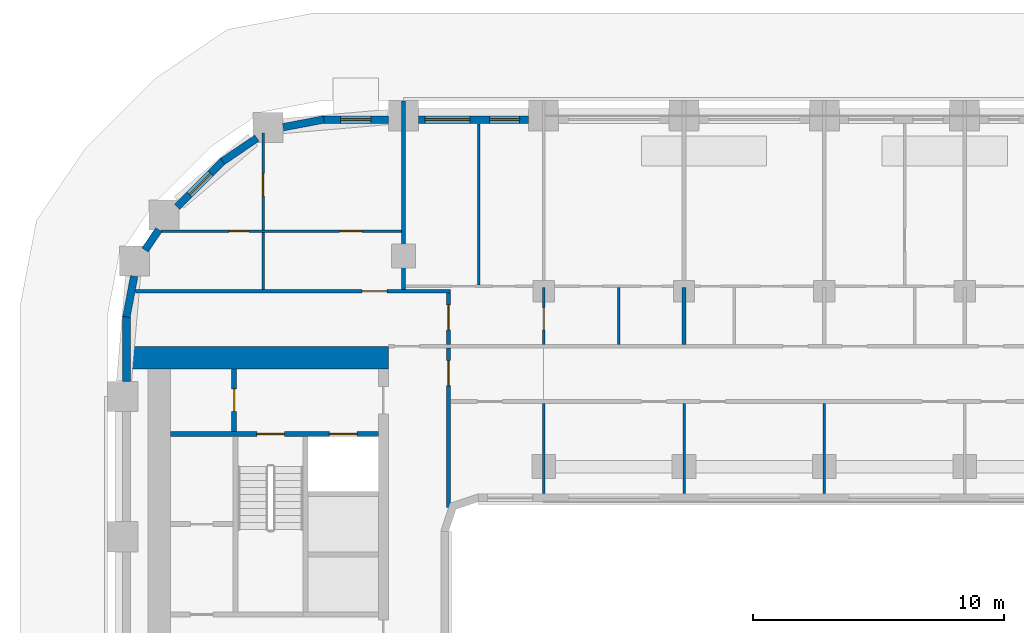
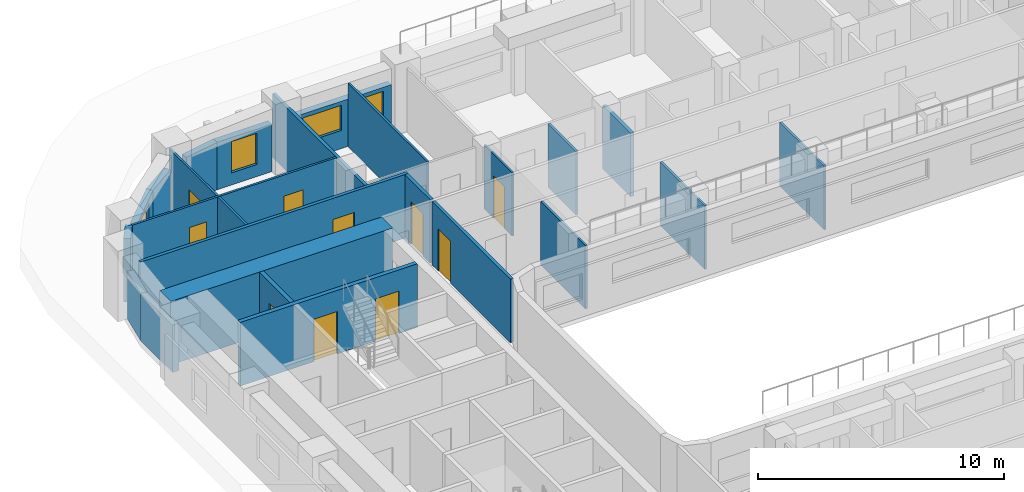
# One storey, part 8 of 18: 25 walls, 10 doors, 4 windows, 14 openings.
"""IFC4 building model written with IfcOpenShell, lengths in metres."""

from ifc_helpers import new_model, si_unit, direction, frame, frame_2d, origin, place, context, subcontext, project, spatial, rectangle, extrude, material, layer, layer_set, type_object, element, fill, save


model = new_model("IFC4")

# Units and contexts
model_context = context("Model", 3, precision=1e-05, world=origin(), true_north=direction((0.0, 1.0)))
body_context = subcontext(model_context, "Body", "Model", "MODEL_VIEW")
ifc_project = project(units=[si_unit("LENGTHUNIT", "METRE"), si_unit("AREAUNIT", "SQUARE_METRE"), si_unit("VOLUMEUNIT", "CUBIC_METRE"), si_unit("PLANEANGLEUNIT", "RADIAN"), si_unit("MASSUNIT", "GRAM", prefix="KILO")], contexts=[model_context])

# Site, building, storey
site_placement = place(None, origin())
site = spatial("IfcSite", under=ifc_project, at=site_placement, CompositionType="ELEMENT")
building_placement = place(site_placement, origin())
building = spatial("IfcBuilding", under=site, at=building_placement, Name="Kiln Ring Residences", CompositionType="ELEMENT")
storey_placement = place(building_placement, frame((0.0, 0.0, 121.800048828125)))
storey = spatial("IfcBuildingStorey", under=building, at=storey_placement, Name="L31", CompositionType="ELEMENT", Elevation=121.800048828125)

# Wall, opening, door
ifc_material_1 = material(Name="Gypsum board on steel studs", Category="steel")
ifc_layer_1 = layer(ifc_material_1, 0.199951171875)
ifc_layer_set_1 = layer_set([ifc_layer_1], Name="CORE-PARTITION-200")
wall_type_1 = type_object("IfcWallType", Name="CORE-PARTITION-200", PredefinedType="PARTITIONING", material=ifc_layer_set_1)
wall_1_placement = place(storey_placement, frame((-23.550048828125, 9.800048828125, 0.0), z_axis=(0.0, 0.0, 1.0), x_axis=(0.0, 1.0, 0.0)))
wall_1 = element("IfcWall", 1, at=wall_1_placement, inside=storey, type_object=wall_type_1, Name="Core partition west L31 3", PredefinedType="PARTITIONING", context=body_context, shape_type="SweptSolid", body=[
    extrude(rectangle(XDim=2.5, YDim=0.199951171875, at=frame_2d((1.25, 0.0))), origin(), (0.0, 0.0, 1.0), 3.14990234375),
])
opening_1_placement = place(wall_1_placement, frame((0.800048828125, 0.0, 0.0)))
opening_1 = element("IfcOpeningElement", 2, at=opening_1_placement, cuts=wall_1, Name="Opening L31-CW08", PredefinedType="OPENING", context=body_context, shape_type="SweptSolid", body=[
    extrude(rectangle(XDim=0.89990234375, YDim=2.10009765625, at=frame_2d((0.449951171875, 1.050048828125))), frame((0.0, 0.10986328125, 0.0), z_axis=(0.0, -1.0, 0.0), x_axis=(1.0, 0.0, 0.0)), (0.0, 0.0, 1.0), 0.219970703125),
])
ifc_material_2 = material(Name="Steel door leaf", Category="steel")
door_type_1 = type_object("IfcDoorType", Name="CORE-DOOR-ROOM", OperationType="SINGLE_SWING_LEFT", PredefinedType="DOOR", material=ifc_material_2)
door_1_placement = place(opening_1_placement, origin())
door_1 = element("IfcDoor", 3, at=door_1_placement, inside=storey, type_object=door_type_1, Name="Fire riser room L31-CW08", OperationType="SINGLE_SWING_RIGHT", OverallHeight=2.10009765625, OverallWidth=0.89990234375, PredefinedType="DOOR", context=body_context, shape_type="SweptSolid", body=[
    extrude(rectangle(XDim=0.89990234375, YDim=2.10009765625, at=frame_2d((0.449951171875, 1.050048828125))), frame((0.0, 0.02490234375, 0.0), z_axis=(0.0, -1.0, 0.0), x_axis=(1.0, 0.0, 0.0)), (0.0, 0.0, 1.0), 0.050048828125),
])
fill(opening_1, door_1)

# Wall, openings, doors
ifc_material_3 = material(Name="Concrete C40/50", Category="concrete")
ifc_layer_2 = layer(ifc_material_3, 0.199951171875)
ifc_layer_set_2 = layer_set([ifc_layer_2], Name="CORE-WALL-RC200")
wall_type_2 = type_object("IfcWallType", Name="CORE-WALL-RC200", PredefinedType="SHEAR", material=ifc_layer_set_2)
wall_2_placement = place(storey_placement, frame((-17.800048828125, 9.699951171875, 0.0), z_axis=(0.0, 0.0, 1.0), x_axis=(-1.0, 0.0, 0.0)))
wall_2 = element("IfcWall", 4, at=wall_2_placement, inside=storey, type_object=wall_type_2, Name="Core wall west L31 9", PredefinedType="SHEAR", context=body_context, shape_type="SweptSolid", body=[
    extrude(rectangle(XDim=8.300048828125, YDim=0.199951171875, at=frame_2d((4.14990234375, 0.0))), origin(), (0.0, 0.0, 1.0), 3.14990234375),
])
opening_2_placement = place(wall_2_placement, frame((0.85009765625, 0.0, 0.0)))
opening_2 = element("IfcOpeningElement", 5, at=opening_2_placement, cuts=wall_2, Name="Opening L31-CW05", PredefinedType="OPENING", context=body_context, shape_type="SweptSolid", body=[
    extrude(rectangle(XDim=1.10009765625, YDim=2.10009765625, at=frame_2d((0.550048828125, 1.050048828125))), frame((0.0, 0.10986328125, 0.0), z_axis=(0.0, -1.0, 0.0), x_axis=(1.0, 0.0, 0.0)), (0.0, 0.0, 1.0), 0.219970703125),
])
opening_3_placement = place(wall_2_placement, frame((3.75, 0.0, 0.0)))
opening_3 = element("IfcOpeningElement", 6, at=opening_3_placement, cuts=wall_2, Name="Opening L31-CW10", PredefinedType="OPENING", context=body_context, shape_type="SweptSolid", body=[
    extrude(rectangle(XDim=1.10009765625, YDim=2.10009765625, at=frame_2d((0.550048828125, 1.050048828125))), frame((0.0, 0.10986328125, 0.0), z_axis=(0.0, -1.0, 0.0), x_axis=(1.0, 0.0, 0.0)), (0.0, 0.0, 1.0), 0.219970703125),
])
ifc_material_4 = material(Name="Steel door leaf", Category="steel")
door_type_2 = type_object("IfcDoorType", Name="CORE-DOOR-LD", OperationType="DOUBLE_DOOR_SLIDING", PredefinedType="DOOR", material=ifc_material_4)
door_2_placement = place(opening_2_placement, origin())
door_2 = element("IfcDoor", 7, at=door_2_placement, inside=storey, type_object=door_type_2, Name="LD W-FF L31-CW05", OperationType="DOUBLE_DOOR_SLIDING", OverallHeight=2.10009765625, OverallWidth=1.10009765625, PredefinedType="DOOR", context=body_context, shape_type="SweptSolid", body=[
    extrude(rectangle(XDim=1.10009765625, YDim=2.10009765625, at=frame_2d((0.550048828125, 1.050048828125))), frame((0.0, 0.02490234375, 0.0), z_axis=(0.0, -1.0, 0.0), x_axis=(1.0, 0.0, 0.0)), (0.0, 0.0, 1.0), 0.050048828125),
])
fill(opening_2, door_2)
ifc_material_5 = material(Name="Steel door leaf", Category="steel")
door_type_3 = type_object("IfcDoorType", Name="CORE-DOOR-STAIR", OperationType="SINGLE_SWING_LEFT", PredefinedType="DOOR", material=ifc_material_5)
door_3_placement = place(opening_3_placement, origin())
door_3 = element("IfcDoor", 8, at=door_3_placement, inside=storey, type_object=door_type_3, Name="Stair W-STN L31-CW10", OperationType="SINGLE_SWING_RIGHT", OverallHeight=2.10009765625, OverallWidth=1.10009765625, PredefinedType="DOOR", context=body_context, shape_type="SweptSolid", body=[
    extrude(rectangle(XDim=1.10009765625, YDim=2.10009765625, at=frame_2d((0.550048828125, 1.050048828125))), frame((0.0, 0.02490234375, 0.0), z_axis=(0.0, -1.0, 0.0), x_axis=(1.0, 0.0, 0.0)), (0.0, 0.0, 1.0), 0.050048828125),
])
fill(opening_3, door_3)

# Wall
ifc_material_6 = material(Name="Concrete C60/75", Category="concrete")
ifc_layer_3 = layer(ifc_material_6, 0.89990234375)
ifc_layer_set_3 = layer_set([ifc_layer_3], Name="CORE-WALL-RC900")
wall_type_3 = type_object("IfcWallType", Name="CORE-WALL-RC900", PredefinedType="SHEAR", material=ifc_layer_set_3)
wall_3_placement = place(storey_placement, frame((-17.39990234375, 12.75, 0.0), z_axis=(0.0, 0.0, 1.0), x_axis=(-1.0, 0.0, 0.0)))
element("IfcWall", 9, at=wall_3_placement, inside=storey, type_object=wall_type_3, Name="Core wall west L31 4", PredefinedType="SHEAR", context=body_context, shape_type="SweptSolid", body=[
    extrude(rectangle(XDim=10.400146484375, YDim=0.89990234375, at=frame_2d((5.2001953125, 0.0))), origin(), (0.0, 0.0, 1.0), 3.14990234375),
])

# Wall, openings, windows
ifc_material_7 = material(Name="Brick masonry, dark clay brick", Category="masonry")
ifc_layer_4 = layer(ifc_material_7, 0.300048828125)
ifc_layer_set_4 = layer_set([ifc_layer_4], Name="EW-300 BRICK WALL")
wall_type_4 = type_object("IfcWallType", Name="EW-300 BRICK WALL", PredefinedType="SOLIDWALL", material=ifc_layer_set_4)
wall_4_placement = place(storey_placement, frame((-11.800048828125, 22.25, 0.0), z_axis=(0.0, 0.0, 1.0), x_axis=(-1.0, 0.0, 0.0)))
wall_4 = element("IfcWall", 10, at=wall_4_placement, inside=storey, type_object=wall_type_4, Name="Facade wall L31 34", PredefinedType="SOLIDWALL", context=body_context, shape_type="SweptSolid", body=[
    extrude(rectangle(XDim=4.39990234375, YDim=0.300048828125, at=frame_2d((2.199951171875, 0.0))), origin(), (0.0, 0.0, 1.0), 2.349853515625),
])
opening_4_placement = place(wall_4_placement, frame((0.362548828125, 0.0, 0.60009765625)))
opening_4 = element("IfcOpeningElement", 11, at=opening_4_placement, cuts=wall_4, Name="Opening W1", PredefinedType="OPENING", context=body_context, shape_type="SweptSolid", body=[
    extrude(rectangle(XDim=1.199951171875, YDim=1.550048828125, at=frame_2d((0.60009765625, 0.77490234375))), frame((0.0, 0.159912109375, 0.0), z_axis=(0.0, -1.0, 0.0), x_axis=(1.0, 0.0, 0.0)), (0.0, 0.0, 1.0), 0.320068359375),
])
opening_5_placement = place(wall_4_placement, frame((2.33740234375, 0.0, 0.89990234375)))
opening_5 = element("IfcOpeningElement", 12, at=opening_5_placement, cuts=wall_4, Name="Opening W2", PredefinedType="OPENING", context=body_context, shape_type="SweptSolid", body=[
    extrude(rectangle(XDim=1.800048828125, YDim=1.25, at=frame_2d((0.89990234375, 0.625))), frame((0.0, 0.159912109375, 0.0), z_axis=(0.0, -1.0, 0.0), x_axis=(1.0, 0.0, 0.0)), (0.0, 0.0, 1.0), 0.320068359375),
])
ifc_material_8 = material(Name="Aluminium frame with double glazing", Category="aluminium")
window_type_1 = type_object("IfcWindowType", Name="WINDOW 1200 x 1550", PartitioningType="SINGLE_PANEL", PredefinedType="WINDOW", material=ifc_material_8)
window_1_placement = place(opening_4_placement, origin())
window_1 = element("IfcWindow", 13, at=window_1_placement, inside=storey, type_object=window_type_1, Name="Window L31 22", OverallHeight=1.550048828125, OverallWidth=1.199951171875, PartitioningType="SINGLE_PANEL", PredefinedType="WINDOW", context=body_context, shape_type="SweptSolid", body=[
    extrude(rectangle(XDim=1.199951171875, YDim=1.550048828125, at=frame_2d((0.60009765625, 0.77490234375))), frame((0.0, 0.030029296875, 0.0), z_axis=(0.0, -1.0, 0.0), x_axis=(1.0, 0.0, 0.0)), (0.0, 0.0, 1.0), 0.06005859375),
])
fill(opening_4, window_1)
ifc_material_9 = material(Name="Aluminium frame with double glazing", Category="aluminium")
window_type_2 = type_object("IfcWindowType", Name="WINDOW 1800 x 1250", PartitioningType="SINGLE_PANEL", PredefinedType="WINDOW", material=ifc_material_9)
window_2_placement = place(opening_5_placement, origin())
window_2 = element("IfcWindow", 14, at=window_2_placement, inside=storey, type_object=window_type_2, Name="Window L31 23", OverallHeight=1.25, OverallWidth=1.800048828125, PartitioningType="SINGLE_PANEL", PredefinedType="WINDOW", context=body_context, shape_type="SweptSolid", body=[
    extrude(rectangle(XDim=1.800048828125, YDim=1.25, at=frame_2d((0.89990234375, 0.625))), frame((0.0, 0.030029296875, 0.0), z_axis=(0.0, -1.0, 0.0), x_axis=(1.0, 0.0, 0.0)), (0.0, 0.0, 1.0), 0.06005859375),
])
fill(opening_5, window_2)

# Wall, opening, window
wall_5_placement = place(storey_placement, frame((-17.39990234375, 22.25, 0.0), z_axis=(0.0, 0.0, 1.0), x_axis=(-1.0, 0.0, 0.0)))
wall_5 = element("IfcWall", 15, at=wall_5_placement, inside=storey, type_object=wall_type_4, Name="Facade wall L31 35", PredefinedType="SOLIDWALL", context=body_context, shape_type="SweptSolid", body=[
    extrude(rectangle(XDim=2.60009765625, YDim=0.300048828125, at=frame_2d((1.300048828125, 0.0))), origin(), (0.0, 0.0, 1.0), 2.349853515625),
])
opening_6_placement = place(wall_5_placement, frame((0.699951171875, 0.0, 0.60009765625)))
opening_6 = element("IfcOpeningElement", 16, at=opening_6_placement, cuts=wall_5, Name="Opening W1", PredefinedType="OPENING", context=body_context, shape_type="SweptSolid", body=[
    extrude(rectangle(XDim=1.199951171875, YDim=1.550048828125, at=frame_2d((0.60009765625, 0.77490234375))), frame((0.0, 0.159912109375, 0.0), z_axis=(0.0, -1.0, 0.0), x_axis=(1.0, 0.0, 0.0)), (0.0, 0.0, 1.0), 0.320068359375),
])
window_3_placement = place(opening_6_placement, origin())
window_3 = element("IfcWindow", 17, at=window_3_placement, inside=storey, type_object=window_type_1, Name="Window L31 24", OverallHeight=1.550048828125, OverallWidth=1.199951171875, PartitioningType="SINGLE_PANEL", PredefinedType="WINDOW", context=body_context, shape_type="SweptSolid", body=[
    extrude(rectangle(XDim=1.199951171875, YDim=1.550048828125, at=frame_2d((0.60009765625, 0.77490234375))), frame((0.0, 0.030029296875, 0.0), z_axis=(0.0, -1.0, 0.0), x_axis=(1.0, 0.0, 0.0)), (0.0, 0.0, 1.0), 0.06005859375),
])
fill(opening_6, window_3)

# Walls
for number, where, z_axis, x_axis, name in (
    (18, (-19.971923828125, 22.252685546875, 0.0), (0.0, 0.0, 1.0), (-0.98228820662, -0.187376303559, 0.0), "Facade wall L31 36"),
    (19, (-22.64306640625, 21.509765625, 0.0), (0.0, 0.0, 1.0), (-0.827049873329, -0.562128550268, 0.0), "Facade wall L31 37"),
):
    element("IfcWall", number, at=place(storey_placement, frame(where, z_axis=z_axis, x_axis=x_axis)), inside=storey, type_object=wall_type_4, Name=name, PredefinedType="SOLIDWALL", context=body_context, shape_type="SweptSolid", body=[
        extrude(rectangle(XDim=1.656005859375, YDim=0.300048828125, at=frame_2d((0.828125, 0.0))), origin(), (0.0, 0.0, 1.0), 2.349853515625),
    ])

# Wall, opening, window
wall_6_placement = place(storey_placement, frame((-23.990966796875, 20.596923828125, 0.0), z_axis=(0.0, 0.0, 1.0), x_axis=(-0.707106781187, -0.707106781187, 0.0)))
wall_6 = element("IfcWall", 20, at=wall_6_placement, inside=storey, type_object=wall_type_4, Name="Facade wall L31 38", PredefinedType="SOLIDWALL", context=body_context, shape_type="SweptSolid", body=[
    extrude(rectangle(XDim=2.60009765625, YDim=0.300048828125, at=frame_2d((1.300048828125, 0.0))), origin(), (0.0, 0.0, 1.0), 2.349853515625),
])
opening_7_placement = place(wall_6_placement, frame((0.699951171875, 0.0, 0.60009765625)))
opening_7 = element("IfcOpeningElement", 21, at=opening_7_placement, cuts=wall_6, Name="Opening W1", PredefinedType="OPENING", context=body_context, shape_type="SweptSolid", body=[
    extrude(rectangle(XDim=1.199951171875, YDim=1.550048828125, at=frame_2d((0.60009765625, 0.77490234375))), frame((0.0, 0.159912109375, 0.0), z_axis=(0.0, -1.0, 0.0), x_axis=(1.0, 0.0, 0.0)), (0.0, 0.0, 1.0), 0.320068359375),
])
window_4_placement = place(opening_7_placement, origin())
window_4 = element("IfcWindow", 22, at=window_4_placement, inside=storey, type_object=window_type_1, Name="Window L31 25", OverallHeight=1.550048828125, OverallWidth=1.199951171875, PartitioningType="SINGLE_PANEL", PredefinedType="WINDOW", context=body_context, shape_type="SweptSolid", body=[
    extrude(rectangle(XDim=1.199951171875, YDim=1.550048828125, at=frame_2d((0.60009765625, 0.77490234375))), frame((0.0, 0.030029296875, 0.0), z_axis=(0.0, -1.0, 0.0), x_axis=(1.0, 0.0, 0.0)), (0.0, 0.0, 1.0), 0.06005859375),
])
fill(opening_7, window_4)

# Walls
wall_7_placement = place(storey_placement, frame((-26.560546875, 17.85107421875, 0.0), z_axis=(0.0, 0.0, 1.0), x_axis=(-0.562173331661, -0.827019434577, 0.0)))
element("IfcWall", 23, at=wall_7_placement, inside=storey, type_object=wall_type_4, Name="Facade wall L31 39", PredefinedType="SOLIDWALL", context=body_context, shape_type="SweptSolid", body=[
    extrude(rectangle(XDim=0.97705078125, YDim=0.300048828125, at=frame_2d((0.488525390625, 0.0))), origin(), (0.0, 0.0, 1.0), 3.14990234375),
])
wall_8_placement = place(storey_placement, frame((-27.542236328125, 15.998779296875, 0.0), z_axis=(0.0, 0.0, 1.0), x_axis=(-0.187349172861, -0.982293381546, 0.0)))
element("IfcWall", 24, at=wall_8_placement, inside=storey, type_object=wall_type_4, Name="Facade wall L31 40", PredefinedType="SOLIDWALL", context=body_context, shape_type="SweptSolid", body=[
    extrude(rectangle(XDim=1.65625, YDim=0.300048828125, at=frame_2d((0.828125, 0.0))), origin(), (0.0, 0.0, 1.0), 2.349853515625),
])
wall_9_placement = place(storey_placement, frame((-27.85009765625, 14.39990234375, 0.0), z_axis=(0.0, 0.0, 1.0), x_axis=(0.0, -1.0, 0.0)))
element("IfcWall", 25, at=wall_9_placement, inside=storey, type_object=wall_type_4, Name="Facade wall L31 41", PredefinedType="SOLIDWALL", context=body_context, shape_type="SweptSolid", body=[
    extrude(rectangle(XDim=2.599853515625, YDim=0.300048828125, at=frame_2d((1.2998046875, 0.0))), origin(), (0.0, 0.0, 1.0), 2.349853515625),
])

# Wall, openings, doors
ifc_material_10 = material(Name="Gypsum board on steel studs", Category="steel")
ifc_layer_5 = layer(ifc_material_10, 0.10009765625)
ifc_layer_set_5 = layer_set([ifc_layer_5], Name="PARTITION-100")
wall_type_5 = type_object("IfcWallType", Name="PARTITION-100", PredefinedType="PARTITIONING", material=ifc_layer_set_5)
wall_10_placement = place(storey_placement, frame((-26.465087890625, 17.800048828125, 0.0), z_axis=(0.0, 0.0, 1.0), x_axis=(1.0, 0.0, 0.0)))
wall_10 = element("IfcWall", 26, at=wall_10_placement, inside=storey, type_object=wall_type_5, Name="Partition 012", PredefinedType="PARTITIONING", context=body_context, shape_type="SweptSolid", body=[
    extrude(rectangle(XDim=9.590087890625, YDim=0.10009765625, at=frame_2d((4.794921875, 0.0))), origin(), (0.0, 0.0, 1.0), 3.14990234375),
])
opening_8_placement = place(wall_10_placement, frame((2.697265625, 0.0, 0.0)))
opening_8 = element("IfcOpeningElement", 27, at=opening_8_placement, cuts=wall_10, Name="Opening L31-D040", PredefinedType="OPENING", context=body_context, shape_type="SweptSolid", body=[
    extrude(rectangle(XDim=0.800048828125, YDim=2.10009765625, at=frame_2d((0.39990234375, 1.050048828125))), frame((0.0, 0.06005859375, 0.0), z_axis=(0.0, -1.0, 0.0), x_axis=(1.0, 0.0, 0.0)), (0.0, 0.0, 1.0), 0.1201171875),
])
opening_9_placement = place(wall_10_placement, frame((7.115234375, 0.0, 0.0)))
opening_9 = element("IfcOpeningElement", 28, at=opening_9_placement, cuts=wall_10, Name="Opening L31-D041", PredefinedType="OPENING", context=body_context, shape_type="SweptSolid", body=[
    extrude(rectangle(XDim=0.89990234375, YDim=2.10009765625, at=frame_2d((0.449951171875, 1.050048828125))), frame((0.0, 0.06005859375, 0.0), z_axis=(0.0, -1.0, 0.0), x_axis=(1.0, 0.0, 0.0)), (0.0, 0.0, 1.0), 0.1201171875),
])
ifc_material_11 = material(Name="Timber door leaf", Category="wood")
door_type_4 = type_object("IfcDoorType", Name="FLAT-DOOR-800-PL", OperationType="SINGLE_SWING_LEFT", PredefinedType="DOOR", material=ifc_material_11)
door_4_placement = place(opening_8_placement, origin())
door_4 = element("IfcDoor", 29, at=door_4_placement, inside=storey, type_object=door_type_4, Name="Door L31-D040", OperationType="SINGLE_SWING_RIGHT", OverallHeight=2.10009765625, OverallWidth=0.800048828125, PredefinedType="DOOR", context=body_context, shape_type="SweptSolid", body=[
    extrude(rectangle(XDim=0.800048828125, YDim=2.10009765625, at=frame_2d((0.39990234375, 1.050048828125))), frame((0.0, 0.02490234375, 0.0), z_axis=(0.0, -1.0, 0.0), x_axis=(1.0, 0.0, 0.0)), (0.0, 0.0, 1.0), 0.050048828125),
])
fill(opening_8, door_4)
ifc_material_12 = material(Name="Timber door leaf", Category="wood")
door_type_5 = type_object("IfcDoorType", Name="FLAT-DOOR-900-PL", OperationType="SINGLE_SWING_LEFT", PredefinedType="DOOR", material=ifc_material_12)
door_5_placement = place(opening_9_placement, origin())
door_5 = element("IfcDoor", 30, at=door_5_placement, inside=storey, type_object=door_type_5, Name="Door L31-D041", OperationType="SINGLE_SWING_LEFT", OverallHeight=2.10009765625, OverallWidth=0.89990234375, PredefinedType="DOOR", context=body_context, shape_type="SweptSolid", body=[
    extrude(rectangle(XDim=0.89990234375, YDim=2.10009765625, at=frame_2d((0.449951171875, 1.050048828125))), frame((0.0, 0.02490234375, 0.0), z_axis=(0.0, -1.0, 0.0), x_axis=(1.0, 0.0, 0.0)), (0.0, 0.0, 1.0), 0.050048828125),
])
fill(opening_9, door_5)

# Wall
wall_11_placement = place(storey_placement, frame((-22.39990234375, 15.47509765625, 0.0), z_axis=(0.0, 0.0, 1.0), x_axis=(0.0, 1.0, 0.0)))
element("IfcWall", 31, at=wall_11_placement, inside=storey, type_object=wall_type_5, Name="Partition 016", PredefinedType="PARTITIONING", context=body_context, shape_type="SweptSolid", body=[
    extrude(rectangle(XDim=2.27490234375, YDim=0.10009765625, at=frame_2d((1.137451171875, 0.0))), origin(), (0.0, 0.0, 1.0), 3.14990234375),
])

# Wall, opening, door
wall_12_placement = place(storey_placement, frame((-22.39990234375, 17.85009765625, 0.0), z_axis=(0.0, 0.0, 1.0), x_axis=(0.0, 1.0, 0.0)))
wall_12 = element("IfcWall", 32, at=wall_12_placement, inside=storey, type_object=wall_type_5, Name="Partition 017", PredefinedType="PARTITIONING", context=body_context, shape_type="SweptSolid", body=[
    extrude(rectangle(XDim=3.869873046875, YDim=0.10009765625, at=frame_2d((1.93505859375, 0.0))), origin(), (0.0, 0.0, 1.0), 3.14990234375),
])
opening_10_placement = place(wall_12_placement, frame((1.347900390625, 0.0, 0.0)))
opening_10 = element("IfcOpeningElement", 33, at=opening_10_placement, cuts=wall_12, Name="Opening L31-D042", PredefinedType="OPENING", context=body_context, shape_type="SweptSolid", body=[
    extrude(rectangle(XDim=0.89990234375, YDim=2.10009765625, at=frame_2d((0.449951171875, 1.050048828125))), frame((0.0, 0.06005859375, 0.0), z_axis=(0.0, -1.0, 0.0), x_axis=(1.0, 0.0, 0.0)), (0.0, 0.0, 1.0), 0.1201171875),
])
door_6_placement = place(opening_10_placement, origin())
door_6 = element("IfcDoor", 34, at=door_6_placement, inside=storey, type_object=door_type_5, Name="Door L31-D042", OperationType="SINGLE_SWING_RIGHT", OverallHeight=2.10009765625, OverallWidth=0.89990234375, PredefinedType="DOOR", context=body_context, shape_type="SweptSolid", body=[
    extrude(rectangle(XDim=0.89990234375, YDim=2.10009765625, at=frame_2d((0.449951171875, 1.050048828125))), frame((0.0, 0.02490234375, 0.0), z_axis=(0.0, -1.0, 0.0), x_axis=(1.0, 0.0, 0.0)), (0.0, 0.0, 1.0), 0.050048828125),
])
fill(opening_10, door_6)

# Walls
wall_13_placement = place(storey_placement, frame((-13.800048828125, 15.64990234375, 0.0), z_axis=(0.0, 0.0, 1.0), x_axis=(0.0, 1.0, 0.0)))
element("IfcWall", 35, at=wall_13_placement, inside=storey, type_object=wall_type_5, Name="Partition 024", PredefinedType="PARTITIONING", context=body_context, shape_type="SweptSolid", body=[
    extrude(rectangle(XDim=6.43017578125, YDim=0.10009765625, at=frame_2d((3.215087890625, 0.0))), origin(), (0.0, 0.0, 1.0), 3.14990234375),
])
wall_14_placement = place(storey_placement, frame((-11.199951171875, 7.320068359375, 0.0), z_axis=(0.0, 0.0, 1.0), x_axis=(0.0, 1.0, 0.0)))
element("IfcWall", 36, at=wall_14_placement, inside=storey, type_object=wall_type_5, Name="Partition 028", PredefinedType="PARTITIONING", context=body_context, shape_type="SweptSolid", body=[
    extrude(rectangle(XDim=3.60498046875, YDim=0.10009765625, at=frame_2d((1.802490234375, 0.0))), origin(), (0.0, 0.0, 1.0), 3.14990234375),
])

# Wall, opening, door
wall_15_placement = place(storey_placement, frame((-11.199951171875, 13.27490234375, 0.0), z_axis=(0.0, 0.0, 1.0), x_axis=(0.0, 1.0, 0.0)))
wall_15 = element("IfcWall", 37, at=wall_15_placement, inside=storey, type_object=wall_type_5, Name="Partition 029", PredefinedType="PARTITIONING", context=body_context, shape_type="SweptSolid", body=[
    extrude(rectangle(XDim=2.275146484375, YDim=0.10009765625, at=frame_2d((1.1376953125, 0.0))), origin(), (0.0, 0.0, 1.0), 3.14990234375),
])
opening_11_placement = place(wall_15_placement, frame((0.575927734375, 0.0, 0.0)))
opening_11 = element("IfcOpeningElement", 38, at=opening_11_placement, cuts=wall_15, Name="Opening L31-D016", PredefinedType="OPENING", context=body_context, shape_type="SweptSolid", body=[
    extrude(rectangle(XDim=0.89990234375, YDim=2.10009765625, at=frame_2d((0.449951171875, 1.050048828125))), frame((0.0, 0.06005859375, 0.0), z_axis=(0.0, -1.0, 0.0), x_axis=(1.0, 0.0, 0.0)), (0.0, 0.0, 1.0), 0.1201171875),
])
door_7_placement = place(opening_11_placement, origin())
door_7 = element("IfcDoor", 39, at=door_7_placement, inside=storey, type_object=door_type_5, Name="Door L31-D016", OperationType="SINGLE_SWING_RIGHT", OverallHeight=2.10009765625, OverallWidth=0.89990234375, PredefinedType="DOOR", context=body_context, shape_type="SweptSolid", body=[
    extrude(rectangle(XDim=0.89990234375, YDim=2.10009765625, at=frame_2d((0.449951171875, 1.050048828125))), frame((0.0, 0.02490234375, 0.0), z_axis=(0.0, -1.0, 0.0), x_axis=(1.0, 0.0, 0.0)), (0.0, 0.0, 1.0), 0.050048828125),
])
fill(opening_11, door_7)

# Walls
wall_16_placement = place(storey_placement, frame((-8.199951171875, 13.27490234375, 0.0), z_axis=(0.0, 0.0, 1.0), x_axis=(0.0, 1.0, 0.0)))
element("IfcWall", 40, at=wall_16_placement, inside=storey, type_object=wall_type_5, Name="Partition 031", PredefinedType="PARTITIONING", context=body_context, shape_type="SweptSolid", body=[
    extrude(rectangle(XDim=2.275146484375, YDim=0.10009765625, at=frame_2d((1.1376953125, 0.0))), origin(), (0.0, 0.0, 1.0), 3.14990234375),
])
for number, where, z_axis, x_axis, name in (
    (41, (-5.60009765625, 7.320068359375, 0.0), (0.0, 0.0, 1.0), (0.0, 1.0, 0.0), "Partition 033"),
    (42, (0.0, 7.320068359375, 0.0), (0.0, 0.0, 1.0), (0.0, 1.0, 0.0), "Partition 044"),
):
    element("IfcWall", number, at=place(storey_placement, frame(where, z_axis=z_axis, x_axis=x_axis)), inside=storey, type_object=wall_type_5, Name=name, PredefinedType="PARTITIONING", context=body_context, shape_type="SweptSolid", body=[
        extrude(rectangle(XDim=3.60498046875, YDim=0.10009765625, at=frame_2d((1.802490234375, 0.0))), origin(), (0.0, 0.0, 1.0), 3.14990234375),
    ])

# Wall, opening, door
ifc_material_13 = material(Name="Brick masonry partition", Category="masonry")
ifc_layer_6 = layer(ifc_material_13, 0.14990234375)
ifc_layer_set_6 = layer_set([ifc_layer_6], Name="PARTITION-150-ei60")
wall_type_6 = type_object("IfcWallType", Name="PARTITION-150-ei60", PredefinedType="PARTITIONING", material=ifc_layer_set_6)
wall_17_placement = place(storey_placement, frame((-27.48388671875, 15.39990234375, 0.0), z_axis=(0.0, 0.0, 1.0), x_axis=(1.0, 0.0, 0.0)))
wall_17 = element("IfcWall", 43, at=wall_17_placement, inside=storey, type_object=wall_type_6, Name="Partition 009", PredefinedType="PARTITIONING", context=body_context, shape_type="SweptSolid", body=[
    extrude(rectangle(XDim=12.558837890625, YDim=0.14990234375, at=frame_2d((6.279296875, 0.0))), origin(), (0.0, 0.0, 1.0), 3.14990234375),
])
opening_12_placement = place(wall_17_placement, frame((9.03369140625, 0.0, 0.0)))
opening_12 = element("IfcOpeningElement", 44, at=opening_12_placement, cuts=wall_17, Name="Opening L31-D039", PredefinedType="OPENING", context=body_context, shape_type="SweptSolid", body=[
    extrude(rectangle(XDim=1.0, YDim=2.10009765625, at=frame_2d((0.5, 1.050048828125))), frame((0.0, 0.0849609375, 0.0), z_axis=(0.0, -1.0, 0.0), x_axis=(1.0, 0.0, 0.0)), (0.0, 0.0, 1.0), 0.169921875),
])
ifc_material_14 = material(Name="Steel faced fire door leaf", Category="steel")
door_type_6 = type_object("IfcDoorType", Name="FLAT-DOOR-1000-FR", OperationType="SINGLE_SWING_LEFT", PredefinedType="DOOR", material=ifc_material_14)
door_8_placement = place(opening_12_placement, origin())
door_8 = element("IfcDoor", 45, at=door_8_placement, inside=storey, type_object=door_type_6, Name="Door L31-D039", OperationType="SINGLE_SWING_LEFT", OverallHeight=2.10009765625, OverallWidth=1.0, PredefinedType="DOOR", context=body_context, shape_type="SweptSolid", body=[
    extrude(rectangle(XDim=1.0, YDim=2.10009765625, at=frame_2d((0.5, 1.050048828125))), frame((0.0, 0.02490234375, 0.0), z_axis=(0.0, -1.0, 0.0), x_axis=(1.0, 0.0, 0.0)), (0.0, 0.0, 1.0), 0.050048828125),
])
fill(opening_12, door_8)

# Wall
wall_18_placement = place(storey_placement, frame((-16.800048828125, 15.47509765625, 0.0), z_axis=(0.0, 0.0, 1.0), x_axis=(0.0, 1.0, 0.0)))
element("IfcWall", 46, at=wall_18_placement, inside=storey, type_object=wall_type_6, Name="Partition 019", PredefinedType="PARTITIONING", context=body_context, shape_type="SweptSolid", body=[
    extrude(rectangle(XDim=7.5048828125, YDim=0.14990234375, at=frame_2d((3.75244140625, 0.0))), origin(), (0.0, 0.0, 1.0), 3.14990234375),
])

# Wall, opening, door
wall_19_placement = place(storey_placement, frame((-15.0, 6.768798828125, 0.0), z_axis=(0.0, 0.0, 1.0), x_axis=(0.0, 1.0, 0.0)))
wall_19 = element("IfcWall", 47, at=wall_19_placement, inside=storey, type_object=wall_type_6, Name="Partition 022", PredefinedType="PARTITIONING", context=body_context, shape_type="SweptSolid", body=[
    extrude(rectangle(XDim=6.356201171875, YDim=0.14990234375, at=frame_2d((3.17822265625, 0.0))), origin(), (0.0, 0.0, 1.0), 3.14990234375),
])
opening_13_placement = place(wall_19_placement, frame((4.860107421875, 0.0, 0.0)))
opening_13 = element("IfcOpeningElement", 48, at=opening_13_placement, cuts=wall_19, Name="Opening L31-D001", PredefinedType="OPENING", context=body_context, shape_type="SweptSolid", body=[
    extrude(rectangle(XDim=1.0, YDim=2.10009765625, at=frame_2d((0.5, 1.050048828125))), frame((0.0, 0.0849609375, 0.0), z_axis=(0.0, -1.0, 0.0), x_axis=(1.0, 0.0, 0.0)), (0.0, 0.0, 1.0), 0.169921875),
])
door_9_placement = place(opening_13_placement, origin())
door_9 = element("IfcDoor", 49, at=door_9_placement, inside=storey, type_object=door_type_6, Name="Door L31-D001", OperationType="SINGLE_SWING_RIGHT", OverallHeight=2.10009765625, OverallWidth=1.0, PredefinedType="DOOR", context=body_context, shape_type="SweptSolid", body=[
    extrude(rectangle(XDim=1.0, YDim=2.10009765625, at=frame_2d((0.5, 1.050048828125))), frame((0.0, 0.02490234375, 0.0), z_axis=(0.0, -1.0, 0.0), x_axis=(1.0, 0.0, 0.0)), (0.0, 0.0, 1.0), 0.050048828125),
])
fill(opening_13, door_9)

wall_20_placement = place(storey_placement, frame((-15.0, 13.27490234375, 0.0), z_axis=(0.0, 0.0, 1.0), x_axis=(0.0, 1.0, 0.0)))
wall_20 = element("IfcWall", 50, at=wall_20_placement, inside=storey, type_object=wall_type_6, Name="Partition 023", PredefinedType="PARTITIONING", context=body_context, shape_type="SweptSolid", body=[
    extrude(rectangle(XDim=2.050048828125, YDim=0.14990234375, at=frame_2d((1.02490234375, 0.0))), origin(), (0.0, 0.0, 1.0), 3.14990234375),
])
opening_14_placement = place(wall_20_placement, frame((0.575927734375, 0.0, 0.0)))
opening_14 = element("IfcOpeningElement", 51, at=opening_14_placement, cuts=wall_20, Name="Opening L31-D015", PredefinedType="OPENING", context=body_context, shape_type="SweptSolid", body=[
    extrude(rectangle(XDim=1.0, YDim=2.10009765625, at=frame_2d((0.5, 1.050048828125))), frame((0.0, 0.0849609375, 0.0), z_axis=(0.0, -1.0, 0.0), x_axis=(1.0, 0.0, 0.0)), (0.0, 0.0, 1.0), 0.169921875),
])
door_10_placement = place(opening_14_placement, origin())
door_10 = element("IfcDoor", 52, at=door_10_placement, inside=storey, type_object=door_type_6, Name="Door L31-D015", OperationType="SINGLE_SWING_LEFT", OverallHeight=2.10009765625, OverallWidth=1.0, PredefinedType="DOOR", context=body_context, shape_type="SweptSolid", body=[
    extrude(rectangle(XDim=1.0, YDim=2.10009765625, at=frame_2d((0.5, 1.050048828125))), frame((0.0, 0.02490234375, 0.0), z_axis=(0.0, -1.0, 0.0), x_axis=(1.0, 0.0, 0.0)), (0.0, 0.0, 1.0), 0.050048828125),
])
fill(opening_14, door_10)

# Wall
wall_21_placement = place(storey_placement, frame((-5.60009765625, 13.27490234375, 0.0), z_axis=(0.0, 0.0, 1.0), x_axis=(0.0, 1.0, 0.0)))
element("IfcWall", 53, at=wall_21_placement, inside=storey, type_object=wall_type_6, Name="Partition 037", PredefinedType="PARTITIONING", context=body_context, shape_type="SweptSolid", body=[
    extrude(rectangle(XDim=2.275146484375, YDim=0.14990234375, at=frame_2d((1.1376953125, 0.0))), origin(), (0.0, 0.0, 1.0), 3.14990234375),
])

save(model, "model.ifc")
